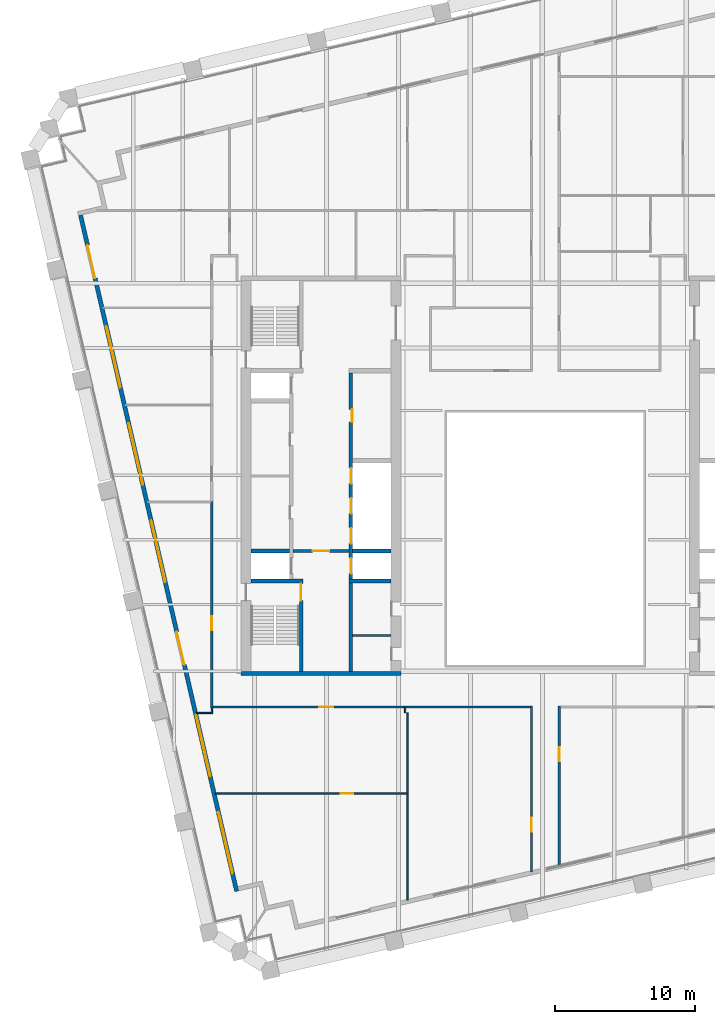
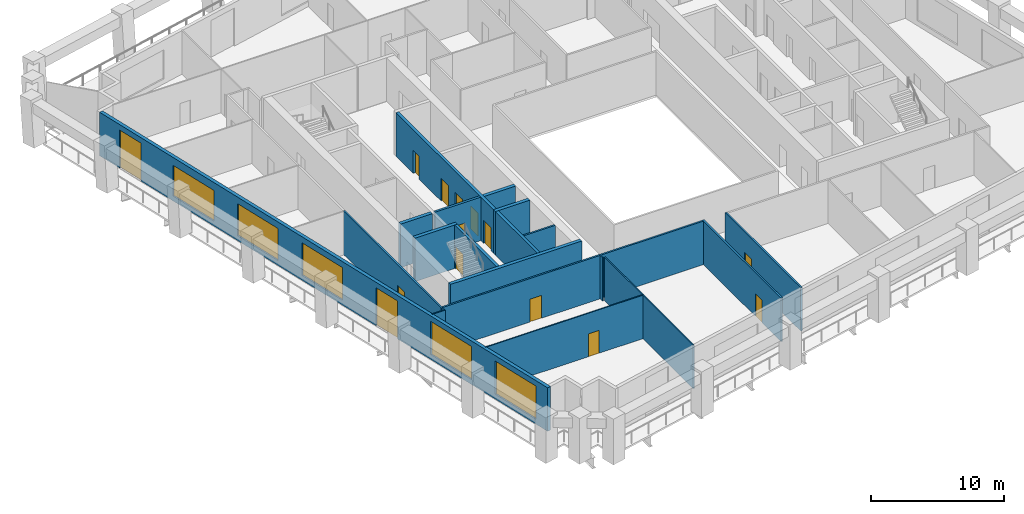
# One storey, part 4 of 10: 21 walls, 14 doors, 5 windows, 19 openings.
"""IFC4 building model written with IfcOpenShell, lengths in metres."""

from ifc_helpers import new_model, si_unit, direction, frame, frame_2d, origin, place, context, subcontext, project, spatial, rectangle, extrude, material, layer, layer_set, type_object, element, fill, save


model = new_model("IFC4")

# Units and contexts
model_context = context("Model", 3, precision=1e-05, world=origin(), true_north=direction((0.0, 1.0)))
body_context = subcontext(model_context, "Body", "Model", "MODEL_VIEW")
ifc_project = project(units=[si_unit("LENGTHUNIT", "METRE"), si_unit("AREAUNIT", "SQUARE_METRE"), si_unit("VOLUMEUNIT", "CUBIC_METRE"), si_unit("PLANEANGLEUNIT", "RADIAN"), si_unit("MASSUNIT", "GRAM", prefix="KILO")], contexts=[model_context])

# Site, building, storey
site_placement = place(None, origin())
site = spatial("IfcSite", under=ifc_project, at=site_placement, CompositionType="ELEMENT")
building_placement = place(site_placement, origin())
building = spatial("IfcBuilding", under=site, at=building_placement, Name="Ogive Exchange Tower", CompositionType="ELEMENT")
storey_placement = place(building_placement, frame((0.0, 0.0, 188.39990234375)))
storey = spatial("IfcBuildingStorey", under=building, at=storey_placement, Name="L41", CompositionType="ELEMENT", Elevation=188.39990234375)

# Wall
ifc_material_1 = material(Name="Gypsum board partition")
ifc_layer_1 = layer(ifc_material_1, 0.14990234375)
ifc_layer_set_1 = layer_set([ifc_layer_1], Name="Core room partition 150 gypsum")
wall_type_1 = type_object("IfcWallType", Name="Core room partition 150 gypsum", PredefinedType="PARTITIONING", material=ifc_layer_set_1)
wall_1_placement = place(storey_placement, frame((-13.75, 0.10009765625, 0.0), z_axis=(0.0, 0.0, 1.0), x_axis=(1.0, 0.0, 0.0)))
element("IfcWall", 1, at=wall_1_placement, inside=storey, type_object=wall_type_1, Name="W south room partition", PredefinedType="PARTITIONING", context=body_context, shape_type="SweptSolid", body=[
    extrude(rectangle(XDim=2.75, YDim=0.14990234375, at=frame_2d((1.375, 0.0))), origin(), (0.0, 0.0, 1.0), 4.0),
])

# Wall, opening, door
ifc_material_2 = material(Name="Fire partition EI 60 150")
ifc_layer_2 = layer(ifc_material_2, 0.14990234375)
ifc_layer_set_2 = layer_set([ifc_layer_2], Name="Fire partition EI 60 150")
wall_type_2 = type_object("IfcWallType", Name="Fire partition EI 60 150", PredefinedType="PARTITIONING", material=ifc_layer_set_2)
wall_2_placement = place(storey_placement, frame((-23.800048828125, -5.074951171875, 0.0), z_axis=(0.0, 0.0, 1.0), x_axis=(0.0, 1.0, 0.0)))
wall_2 = element("IfcWall", 2, at=wall_2_placement, inside=storey, type_object=wall_type_2, Name="L41-PWL-003", PredefinedType="PARTITIONING", context=body_context, shape_type="SweptSolid", body=[
    extrude(rectangle(XDim=14.744873046875, YDim=0.14990234375, at=frame_2d((7.37255859375, 0.0))), origin(), (0.0, 0.0, 1.0), 4.0),
])
opening_1_placement = place(wall_2_placement, frame((5.544921875, 0.0, 0.0)))
opening_1 = element("IfcOpeningElement", 3, at=opening_1_placement, cuts=wall_2, Name="Opening L41-I11", PredefinedType="OPENING", context=body_context, shape_type="SweptSolid", body=[
    extrude(rectangle(XDim=1.0, YDim=2.10009765625, at=frame_2d((0.5, 1.050048828125))), frame((0.0, 0.0849609375, 0.0), z_axis=(0.0, -1.0, 0.0), x_axis=(1.0, 0.0, 0.0)), (0.0, 0.0, 1.0), 0.169921875),
])
ifc_material_3 = material(Name="Fire door FD 30S 1000 x 2100")
door_type_1 = type_object("IfcDoorType", Name="Fire door FD 30S 1000 x 2100", OperationType="NOTDEFINED", PredefinedType="DOOR", material=ifc_material_3)
door_1_placement = place(opening_1_placement, origin())
door_1 = element("IfcDoor", 4, at=door_1_placement, inside=storey, type_object=door_type_1, Name="L41-IDR-011", ObjectType="DT3", OperationType="SINGLE_SWING_RIGHT", OverallHeight=2.10009765625, OverallWidth=1.0, PredefinedType="DOOR", context=body_context, shape_type="SweptSolid", body=[
    extrude(rectangle(XDim=1.0, YDim=2.10009765625, at=frame_2d((0.5, 1.050048828125))), frame((0.0, 0.02490234375, 0.0), z_axis=(0.0, -1.0, 0.0), x_axis=(1.0, 0.0, 0.0)), (0.0, 0.0, 1.0), 0.050048828125),
])
fill(opening_1, door_1)

wall_3_placement = place(storey_placement, frame((-10.050048828125, -5.0, 0.0), z_axis=(0.0, 0.0, 1.0), x_axis=(-1.0, 0.0, 0.0)))
wall_3 = element("IfcWall", 5, at=wall_3_placement, inside=storey, type_object=wall_type_2, Name="L41-PWL-020", PredefinedType="PARTITIONING", context=body_context, shape_type="SweptSolid", body=[
    extrude(rectangle(XDim=13.6650390625, YDim=0.14990234375, at=frame_2d((6.83251953125, 0.0))), origin(), (0.0, 0.0, 1.0), 4.0),
])
opening_2_placement = place(wall_3_placement, frame((5.090087890625, 0.0, 0.0)))
opening_2 = element("IfcOpeningElement", 6, at=opening_2_placement, cuts=wall_3, Name="Opening L41-I13", PredefinedType="OPENING", context=body_context, shape_type="SweptSolid", body=[
    extrude(rectangle(XDim=1.0, YDim=2.10009765625, at=frame_2d((0.5, 1.050048828125))), frame((0.0, 0.0849609375, 0.0), z_axis=(0.0, -1.0, 0.0), x_axis=(1.0, 0.0, 0.0)), (0.0, 0.0, 1.0), 0.169921875),
])
door_2_placement = place(opening_2_placement, origin())
door_2 = element("IfcDoor", 7, at=door_2_placement, inside=storey, type_object=door_type_1, Name="L41-IDR-013", ObjectType="DT3", OperationType="SINGLE_SWING_RIGHT", OverallHeight=2.10009765625, OverallWidth=1.0, PredefinedType="DOOR", context=body_context, shape_type="SweptSolid", body=[
    extrude(rectangle(XDim=1.0, YDim=2.10009765625, at=frame_2d((0.5, 1.050048828125))), frame((0.0, 0.02490234375, 0.0), z_axis=(0.0, -1.0, 0.0), x_axis=(1.0, 0.0, 0.0)), (0.0, 0.0, 1.0), 0.050048828125),
])
fill(opening_2, door_2)

wall_4_placement = place(storey_placement, frame((-0.989990234375, -16.7529296875, 0.0), z_axis=(0.0, 0.0, 1.0), x_axis=(0.0, 1.0, 0.0)))
wall_4 = element("IfcWall", 8, at=wall_4_placement, inside=storey, type_object=wall_type_2, Name="L41-PWL-036", PredefinedType="PARTITIONING", context=body_context, shape_type="SweptSolid", body=[
    extrude(rectangle(XDim=11.827880859375, YDim=0.14990234375, at=frame_2d((5.9140625, 0.0))), origin(), (0.0, 0.0, 1.0), 4.0),
])
opening_3_placement = place(wall_4_placement, frame((2.85302734375, 0.0, 0.0)))
opening_3 = element("IfcOpeningElement", 9, at=opening_3_placement, cuts=wall_4, Name="Opening L41-I12", PredefinedType="OPENING", context=body_context, shape_type="SweptSolid", body=[
    extrude(rectangle(XDim=1.0, YDim=2.10009765625, at=frame_2d((0.5, 1.050048828125))), frame((0.0, 0.0849609375, 0.0), z_axis=(0.0, -1.0, 0.0), x_axis=(1.0, 0.0, 0.0)), (0.0, 0.0, 1.0), 0.169921875),
])
door_3_placement = place(opening_3_placement, origin())
door_3 = element("IfcDoor", 10, at=door_3_placement, inside=storey, type_object=door_type_1, Name="L41-IDR-012", ObjectType="DT3", OperationType="SINGLE_SWING_RIGHT", OverallHeight=2.10009765625, OverallWidth=1.0, PredefinedType="DOOR", context=body_context, shape_type="SweptSolid", body=[
    extrude(rectangle(XDim=1.0, YDim=2.10009765625, at=frame_2d((0.5, 1.050048828125))), frame((0.0, 0.02490234375, 0.0), z_axis=(0.0, -1.0, 0.0), x_axis=(1.0, 0.0, 0.0)), (0.0, 0.0, 1.0), 0.050048828125),
])
fill(opening_3, door_3)

# Wall
wall_5_placement = place(storey_placement, frame((-1.06494140625, -5.0, 0.0), z_axis=(0.0, 0.0, 1.0), x_axis=(-1.0, 0.0, 0.0)))
element("IfcWall", 11, at=wall_5_placement, inside=storey, type_object=wall_type_2, Name="L41-PWL-037", PredefinedType="PARTITIONING", context=body_context, shape_type="SweptSolid", body=[
    extrude(rectangle(XDim=8.885009765625, YDim=0.14990234375, at=frame_2d((4.4423828125, 0.0))), origin(), (0.0, 0.0, 1.0), 4.0),
])

# Wall, opening, door
wall_6_placement = place(storey_placement, frame((0.989990234375, -4.925048828125, 0.0), z_axis=(0.0, 0.0, 1.0), x_axis=(0.0, -1.0, 0.0)))
wall_6 = element("IfcWall", 12, at=wall_6_placement, inside=storey, type_object=wall_type_2, Name="L41-PWL-041", PredefinedType="PARTITIONING", context=body_context, shape_type="SweptSolid", body=[
    extrude(rectangle(XDim=11.370849609375, YDim=0.14990234375, at=frame_2d((5.685546875, 0.0))), origin(), (0.0, 0.0, 1.0), 4.0),
])
opening_4_placement = place(wall_6_placement, frame((2.945068359375, 0.0, 0.0)))
opening_4 = element("IfcOpeningElement", 13, at=opening_4_placement, cuts=wall_6, Name="Opening L41-I15", PredefinedType="OPENING", context=body_context, shape_type="SweptSolid", body=[
    extrude(rectangle(XDim=1.0, YDim=2.10009765625, at=frame_2d((0.5, 1.050048828125))), frame((0.0, 0.0849609375, 0.0), z_axis=(0.0, -1.0, 0.0), x_axis=(1.0, 0.0, 0.0)), (0.0, 0.0, 1.0), 0.169921875),
])
door_4_placement = place(opening_4_placement, origin())
door_4 = element("IfcDoor", 14, at=door_4_placement, inside=storey, type_object=door_type_1, Name="L41-IDR-015", ObjectType="DT3", OperationType="SINGLE_SWING_RIGHT", OverallHeight=2.10009765625, OverallWidth=1.0, PredefinedType="DOOR", context=body_context, shape_type="SweptSolid", body=[
    extrude(rectangle(XDim=1.0, YDim=2.10009765625, at=frame_2d((0.5, 1.050048828125))), frame((0.0, 0.02490234375, 0.0), z_axis=(0.0, -1.0, 0.0), x_axis=(1.0, 0.0, 0.0)), (0.0, 0.0, 1.0), 0.050048828125),
])
fill(opening_4, door_4)

# Wall, openings, doors, windows
ifc_material_4 = material(Name="Precast concrete C40/50", Category="concrete")
ifc_layer_3 = layer(ifc_material_4, 0.300048828125)
ifc_layer_set_3 = layer_set([ifc_layer_3], Name="Limestone-faced wall 300")
wall_type_3 = type_object("IfcWallType", Name="Limestone-faced wall 300", PredefinedType="STANDARD", material=ifc_layer_set_3)
wall_7_placement = place(storey_placement, frame((-33.1572265625, 30.092041015625, 0.0), z_axis=(0.0, 0.0, 1.0), x_axis=(0.224950279389, -0.974370243697, 0.0)))
wall_7 = element("IfcWall", 15, at=wall_7_placement, inside=storey, type_object=wall_type_3, Name="External wall W4", PredefinedType="STANDARD", context=body_context, shape_type="SweptSolid", body=[
    extrude(rectangle(XDim=49.499755859375, YDim=0.300048828125, at=frame_2d((24.75, 0.0))), origin(), (0.0, 0.0, 1.0), 4.0),
])
opening_5_placement = place(wall_7_placement, frame((2.20703125, 0.0, 0.0)))
opening_5 = element("IfcOpeningElement", 16, at=opening_5_placement, cuts=wall_7, Name="Opening D1", PredefinedType="OPENING", context=body_context, shape_type="SweptSolid", body=[
    extrude(rectangle(XDim=2.39990234375, YDim=3.5, at=frame_2d((1.199951171875, 1.75))), frame((0.0, 0.159912109375, 0.0), z_axis=(0.0, -1.0, 0.0), x_axis=(1.0, 0.0, 0.0)), (0.0, 0.0, 1.0), 0.320068359375),
])
opening_6_placement = place(wall_7_placement, frame((8.121337890625, 0.0, 0.449951171875)))
opening_6 = element("IfcOpeningElement", 17, at=opening_6_placement, cuts=wall_7, Name="Opening W1E", PredefinedType="OPENING", context=body_context, shape_type="SweptSolid", body=[
    extrude(rectangle(XDim=4.5, YDim=2.824951171875, at=frame_2d((2.25, 1.41259765625))), frame((0.0, 0.159912109375, 0.0), z_axis=(0.0, -1.0, 0.0), x_axis=(1.0, 0.0, 0.0)), (0.0, 0.0, 1.0), 0.320068359375),
])
opening_7_placement = place(wall_7_placement, frame((15.235595703125, 0.0, 0.449951171875)))
opening_7 = element("IfcOpeningElement", 18, at=opening_7_placement, cuts=wall_7, Name="Opening W1B", PredefinedType="OPENING", context=body_context, shape_type="SweptSolid", body=[
    extrude(rectangle(XDim=4.5, YDim=2.949951171875, at=frame_2d((2.25, 1.47509765625))), frame((0.0, 0.159912109375, 0.0), z_axis=(0.0, -1.0, 0.0), x_axis=(1.0, 0.0, 0.0)), (0.0, 0.0, 1.0), 0.320068359375),
])
opening_8_placement = place(wall_7_placement, frame((22.35009765625, 0.0, 0.449951171875)))
opening_8 = element("IfcOpeningElement", 19, at=opening_8_placement, cuts=wall_7, Name="Opening W1A", PredefinedType="OPENING", context=body_context, shape_type="SweptSolid", body=[
    extrude(rectangle(XDim=4.5, YDim=3.0, at=frame_2d((2.25, 1.5))), frame((0.0, 0.159912109375, 0.0), z_axis=(0.0, -1.0, 0.0), x_axis=(1.0, 0.0, 0.0)), (0.0, 0.0, 1.0), 0.320068359375),
])
opening_9_placement = place(wall_7_placement, frame((30.51416015625, 0.0, 0.0)))
opening_9 = element("IfcOpeningElement", 20, at=opening_9_placement, cuts=wall_7, Name="Opening D1", PredefinedType="OPENING", context=body_context, shape_type="SweptSolid", body=[
    extrude(rectangle(XDim=2.39990234375, YDim=3.5, at=frame_2d((1.199951171875, 1.75))), frame((0.0, 0.159912109375, 0.0), z_axis=(0.0, -1.0, 0.0), x_axis=(1.0, 0.0, 0.0)), (0.0, 0.0, 1.0), 0.320068359375),
])
opening_10_placement = place(wall_7_placement, frame((36.57861328125, 0.0, 0.449951171875)))
opening_10 = element("IfcOpeningElement", 21, at=opening_10_placement, cuts=wall_7, Name="Opening W1", PredefinedType="OPENING", context=body_context, shape_type="SweptSolid", body=[
    extrude(rectangle(XDim=4.5, YDim=3.050048828125, at=frame_2d((2.25, 1.52490234375))), frame((0.0, 0.159912109375, 0.0), z_axis=(0.0, -1.0, 0.0), x_axis=(1.0, 0.0, 0.0)), (0.0, 0.0, 1.0), 0.320068359375),
])
opening_11_placement = place(wall_7_placement, frame((43.69287109375, 0.0, 0.449951171875)))
opening_11 = element("IfcOpeningElement", 22, at=opening_11_placement, cuts=wall_7, Name="Opening W1", PredefinedType="OPENING", context=body_context, shape_type="SweptSolid", body=[
    extrude(rectangle(XDim=4.5, YDim=3.050048828125, at=frame_2d((2.25, 1.52490234375))), frame((0.0, 0.159912109375, 0.0), z_axis=(0.0, -1.0, 0.0), x_axis=(1.0, 0.0, 0.0)), (0.0, 0.0, 1.0), 0.320068359375),
])
ifc_material_5 = material(Name="Clear glass in bronze frame", Category="glass")
door_type_2 = type_object("IfcDoorType", Name="Sliding loggia door 2400 x 3500", OperationType="DOUBLE_DOOR_SLIDING", PredefinedType="DOOR", material=ifc_material_5)
door_5_placement = place(opening_5_placement, origin())
door_5 = element("IfcDoor", 23, at=door_5_placement, inside=storey, type_object=door_type_2, Name="Loggia door W00", OperationType="DOUBLE_DOOR_SLIDING", OverallHeight=3.5, OverallWidth=2.39990234375, PredefinedType="DOOR", context=body_context, shape_type="SweptSolid", body=[
    extrude(rectangle(XDim=2.39990234375, YDim=3.5, at=frame_2d((1.199951171875, 1.75))), frame((0.0, 0.02490234375, 0.0), z_axis=(0.0, -1.0, 0.0), x_axis=(1.0, 0.0, 0.0)), (0.0, 0.0, 1.0), 0.050048828125),
])
fill(opening_5, door_5)
door_6_placement = place(opening_9_placement, origin())
door_6 = element("IfcDoor", 24, at=door_6_placement, inside=storey, type_object=door_type_2, Name="Loggia door W04", OperationType="DOUBLE_DOOR_SLIDING", OverallHeight=3.5, OverallWidth=2.39990234375, PredefinedType="DOOR", context=body_context, shape_type="SweptSolid", body=[
    extrude(rectangle(XDim=2.39990234375, YDim=3.5, at=frame_2d((1.199951171875, 1.75))), frame((0.0, 0.02490234375, 0.0), z_axis=(0.0, -1.0, 0.0), x_axis=(1.0, 0.0, 0.0)), (0.0, 0.0, 1.0), 0.050048828125),
])
fill(opening_9, door_6)
window_type_1 = type_object("IfcWindowType", Name="Twin lancet window 4500 x 2825", PartitioningType="DOUBLE_PANEL_VERTICAL", PredefinedType="WINDOW", material=ifc_material_5)
window_1_placement = place(opening_6_placement, origin())
window_1 = element("IfcWindow", 25, at=window_1_placement, inside=storey, type_object=window_type_1, Name="Window W01", OverallHeight=2.824951171875, OverallWidth=4.5, PartitioningType="DOUBLE_PANEL_VERTICAL", PredefinedType="WINDOW", context=body_context, shape_type="SweptSolid", body=[
    extrude(rectangle(XDim=4.5, YDim=2.824951171875, at=frame_2d((2.25, 1.41259765625))), frame((0.0, 0.030029296875, 0.0), z_axis=(0.0, -1.0, 0.0), x_axis=(1.0, 0.0, 0.0)), (0.0, 0.0, 1.0), 0.06005859375),
])
fill(opening_6, window_1)
window_type_2 = type_object("IfcWindowType", Name="Twin lancet window 4500 x 2950", PartitioningType="DOUBLE_PANEL_VERTICAL", PredefinedType="WINDOW", material=ifc_material_5)
window_2_placement = place(opening_7_placement, origin())
window_2 = element("IfcWindow", 26, at=window_2_placement, inside=storey, type_object=window_type_2, Name="Window W02", OverallHeight=2.949951171875, OverallWidth=4.5, PartitioningType="DOUBLE_PANEL_VERTICAL", PredefinedType="WINDOW", context=body_context, shape_type="SweptSolid", body=[
    extrude(rectangle(XDim=4.5, YDim=2.949951171875, at=frame_2d((2.25, 1.47509765625))), frame((0.0, 0.030029296875, 0.0), z_axis=(0.0, -1.0, 0.0), x_axis=(1.0, 0.0, 0.0)), (0.0, 0.0, 1.0), 0.06005859375),
])
fill(opening_7, window_2)
window_type_3 = type_object("IfcWindowType", Name="Twin lancet window 4500 x 3000", PartitioningType="DOUBLE_PANEL_VERTICAL", PredefinedType="WINDOW", material=ifc_material_5)
window_3_placement = place(opening_8_placement, origin())
window_3 = element("IfcWindow", 27, at=window_3_placement, inside=storey, type_object=window_type_3, Name="Window W03", OverallHeight=3.0, OverallWidth=4.5, PartitioningType="DOUBLE_PANEL_VERTICAL", PredefinedType="WINDOW", context=body_context, shape_type="SweptSolid", body=[
    extrude(rectangle(XDim=4.5, YDim=3.0, at=frame_2d((2.25, 1.5))), frame((0.0, 0.030029296875, 0.0), z_axis=(0.0, -1.0, 0.0), x_axis=(1.0, 0.0, 0.0)), (0.0, 0.0, 1.0), 0.06005859375),
])
fill(opening_8, window_3)
window_type_4 = type_object("IfcWindowType", Name="Twin lancet window 4500 x 3050", PartitioningType="DOUBLE_PANEL_VERTICAL", PredefinedType="WINDOW", material=ifc_material_5)
window_4_placement = place(opening_10_placement, origin())
window_4 = element("IfcWindow", 28, at=window_4_placement, inside=storey, type_object=window_type_4, Name="Window W05", OverallHeight=3.050048828125, OverallWidth=4.5, PartitioningType="DOUBLE_PANEL_VERTICAL", PredefinedType="WINDOW", context=body_context, shape_type="SweptSolid", body=[
    extrude(rectangle(XDim=4.5, YDim=3.050048828125, at=frame_2d((2.25, 1.52490234375))), frame((0.0, 0.030029296875, 0.0), z_axis=(0.0, -1.0, 0.0), x_axis=(1.0, 0.0, 0.0)), (0.0, 0.0, 1.0), 0.06005859375),
])
fill(opening_10, window_4)
window_5_placement = place(opening_11_placement, origin())
window_5 = element("IfcWindow", 29, at=window_5_placement, inside=storey, type_object=window_type_4, Name="Window W06", OverallHeight=3.050048828125, OverallWidth=4.5, PartitioningType="DOUBLE_PANEL_VERTICAL", PredefinedType="WINDOW", context=body_context, shape_type="SweptSolid", body=[
    extrude(rectangle(XDim=4.5, YDim=3.050048828125, at=frame_2d((2.25, 1.52490234375))), frame((0.0, 0.030029296875, 0.0), z_axis=(0.0, -1.0, 0.0), x_axis=(1.0, 0.0, 0.0)), (0.0, 0.0, 1.0), 0.06005859375),
])
fill(opening_11, window_5)

# Walls
ifc_material_6 = material(Name="Partition 100 gypsum")
ifc_layer_4 = layer(ifc_material_6, 0.10009765625)
ifc_layer_set_4 = layer_set([ifc_layer_4], Name="Partition 100 gypsum")
wall_type_4 = type_object("IfcWallType", Name="Partition 100 gypsum", PredefinedType="PARTITIONING", material=ifc_layer_set_4)
wall_8_placement = place(storey_placement, frame((-23.739990234375, -5.419921875, 0.0), z_axis=(0.0, 0.0, 1.0), x_axis=(-1.0, 0.0, 0.0)))
element("IfcWall", 30, at=wall_8_placement, inside=storey, type_object=wall_type_4, Name="L41-PWL-009", PredefinedType="PARTITIONING", context=body_context, shape_type="SweptSolid", body=[
    extrude(rectangle(XDim=1.14697265625, YDim=0.10009765625, at=frame_2d((0.573486328125, 0.0))), origin(), (0.0, 0.0, 1.0), 4.0),
])
wall_9_placement = place(storey_placement, frame((-23.7900390625, -5.074951171875, 0.0), z_axis=(0.0, 0.0, 1.0), x_axis=(0.0, -1.0, 0.0)))
element("IfcWall", 31, at=wall_9_placement, inside=storey, type_object=wall_type_4, Name="L41-PWL-010", PredefinedType="PARTITIONING", context=body_context, shape_type="SweptSolid", body=[
    extrude(rectangle(XDim=0.295166015625, YDim=0.10009765625, at=frame_2d((0.1474609375, 0.0))), origin(), (0.0, 0.0, 1.0), 4.0),
])
wall_10_placement = place(storey_placement, frame((-10.0, -5.419921875, 0.0), z_axis=(0.0, 0.0, 1.0), x_axis=(0.0, 1.0, 0.0)))
element("IfcWall", 32, at=wall_10_placement, inside=storey, type_object=wall_type_4, Name="L41-PWL-019", PredefinedType="PARTITIONING", context=body_context, shape_type="SweptSolid", body=[
    extrude(rectangle(XDim=0.494873046875, YDim=0.10009765625, at=frame_2d((0.24755859375, 0.0))), origin(), (0.0, 0.0, 1.0), 4.0),
])
wall_11_placement = place(storey_placement, frame((-9.830078125, -18.7939453125, 0.0), z_axis=(0.0, 0.0, 1.0), x_axis=(0.0, 1.0, 0.0)))
element("IfcWall", 33, at=wall_11_placement, inside=storey, type_object=wall_type_4, Name="L41-PWL-023", PredefinedType="PARTITIONING", context=body_context, shape_type="SweptSolid", body=[
    extrude(rectangle(XDim=7.673828125, YDim=0.10009765625, at=frame_2d((3.8369140625, 0.0))), origin(), (0.0, 0.0, 1.0), 4.0),
])

# Wall, opening, door
wall_12_placement = place(storey_placement, frame((-9.8798828125, -11.169921875, 0.0), z_axis=(0.0, 0.0, 1.0), x_axis=(-1.0, 0.0, 0.0)))
wall_12 = element("IfcWall", 34, at=wall_12_placement, inside=storey, type_object=wall_type_4, Name="L41-PWL-024", PredefinedType="PARTITIONING", context=body_context, shape_type="SweptSolid", body=[
    extrude(rectangle(XDim=13.68017578125, YDim=0.10009765625, at=frame_2d((6.840087890625, 0.0))), origin(), (0.0, 0.0, 1.0), 4.0),
])
opening_12_placement = place(wall_12_placement, frame((3.81005859375, 0.0, 0.0)))
opening_12 = element("IfcOpeningElement", 35, at=opening_12_placement, cuts=wall_12, Name="Opening L41-I14", PredefinedType="OPENING", context=body_context, shape_type="SweptSolid", body=[
    extrude(rectangle(XDim=0.89990234375, YDim=2.10009765625, at=frame_2d((0.449951171875, 1.050048828125))), frame((0.0, 0.06005859375, 0.0), z_axis=(0.0, -1.0, 0.0), x_axis=(1.0, 0.0, 0.0)), (0.0, 0.0, 1.0), 0.1201171875),
])
ifc_material_7 = material(Name="Door 900 x 2100")
door_type_3 = type_object("IfcDoorType", Name="Door 900 x 2100", OperationType="NOTDEFINED", PredefinedType="DOOR", material=ifc_material_7)
door_7_placement = place(opening_12_placement, frame((0.89990234375, 0.0, 0.0), z_axis=(0.0, 0.0, 1.0), x_axis=(-1.0, 0.0, 0.0)))
door_7 = element("IfcDoor", 36, at=door_7_placement, inside=storey, type_object=door_type_3, Name="L41-IDR-014", ObjectType="DT1", OperationType="SINGLE_SWING_RIGHT", OverallHeight=2.10009765625, OverallWidth=0.89990234375, PredefinedType="DOOR", context=body_context, shape_type="SweptSolid", body=[
    extrude(rectangle(XDim=0.89990234375, YDim=2.10009765625, at=frame_2d((0.449951171875, 1.050048828125))), frame((0.0, 0.02490234375, 0.0), z_axis=(0.0, -1.0, 0.0), x_axis=(1.0, 0.0, 0.0)), (0.0, 0.0, 1.0), 0.050048828125),
])
fill(opening_12, door_7)

# Wall
wall_13_placement = place(storey_placement, frame((-9.830078125, -11.1201171875, 0.0), z_axis=(0.0, 0.0, 1.0), x_axis=(0.0, 1.0, 0.0)))
element("IfcWall", 37, at=wall_13_placement, inside=storey, type_object=wall_type_4, Name="L41-PWL-025", PredefinedType="PARTITIONING", context=body_context, shape_type="SweptSolid", body=[
    extrude(rectangle(XDim=5.7001953125, YDim=0.10009765625, at=frame_2d((2.85009765625, 0.0))), origin(), (0.0, 0.0, 1.0), 4.0),
])

# Wall, opening, door
ifc_material_8 = material(Name="Concrete C70/85", Category="concrete")
ifc_layer_5 = layer(ifc_material_8, 0.199951171875)
ifc_layer_set_5 = layer_set([ifc_layer_5], Name="RC core wall 200 C70/85")
wall_type_5 = type_object("IfcWallType", Name="RC core wall 200 C70/85", PredefinedType="SHEAR", material=ifc_layer_set_5)
wall_14_placement = place(storey_placement, frame((-18.0, 6.142822265625, 0.0), z_axis=(0.0, 0.0, 1.0), x_axis=(1.0, 0.0, 0.0)))
wall_14 = element("IfcWall", 38, at=wall_14_placement, inside=storey, type_object=wall_type_5, Name="W firefighting lobby wall", PredefinedType="SHEAR", context=body_context, shape_type="SweptSolid", body=[
    extrude(rectangle(XDim=4.0, YDim=0.199951171875, at=frame_2d((2.0, 0.0))), origin(), (0.0, 0.0, 1.0), 4.0),
])
opening_13_placement = place(wall_14_placement, frame((1.39990234375, 0.0, 0.0)))
opening_13 = element("IfcOpeningElement", 39, at=opening_13_placement, cuts=wall_14, Name="Opening L41-C10", PredefinedType="OPENING", context=body_context, shape_type="SweptSolid", body=[
    extrude(rectangle(XDim=1.199951171875, YDim=2.10009765625, at=frame_2d((0.60009765625, 1.050048828125))), frame((0.0, 0.10986328125, 0.0), z_axis=(0.0, -1.0, 0.0), x_axis=(1.0, 0.0, 0.0)), (0.0, 0.0, 1.0), 0.219970703125),
])
ifc_material_9 = material(Name="Steel fire door", Category="steel")
door_type_4 = type_object("IfcDoorType", Name="Firefighting lobby door FD60 1200 x 2100", OperationType="NOTDEFINED", PredefinedType="DOOR", material=ifc_material_9)
door_8_placement = place(opening_13_placement, frame((1.199951171875, 0.0, 0.0), z_axis=(0.0, 0.0, 1.0), x_axis=(-1.0, 0.0, 0.0)))
door_8 = element("IfcDoor", 40, at=door_8_placement, inside=storey, type_object=door_type_4, Name="Firefighting lobby door", ObjectType="CD3", OperationType="SINGLE_SWING_LEFT", OverallHeight=2.10009765625, OverallWidth=1.199951171875, PredefinedType="DOOR", context=body_context, shape_type="SweptSolid", body=[
    extrude(rectangle(XDim=1.199951171875, YDim=2.10009765625, at=frame_2d((0.60009765625, 1.050048828125))), frame((0.0, 0.02490234375, 0.0), z_axis=(0.0, -1.0, 0.0), x_axis=(1.0, 0.0, 0.0)), (0.0, 0.0, 1.0), 0.050048828125),
])
fill(opening_13, door_8)

ifc_layer_6 = layer(ifc_material_8, 0.25)
ifc_layer_set_6 = layer_set([ifc_layer_6], Name="RC core wall 250 C70/85")
wall_type_6 = type_object("IfcWallType", Name="RC core wall 250 C70/85", PredefinedType="SHEAR", material=ifc_layer_set_6)
wall_15_placement = place(storey_placement, frame((-17.425048828125, -2.449951171875, 0.0), z_axis=(0.0, 0.0, 1.0), x_axis=(0.0, 1.0, 0.0)))
wall_15 = element("IfcWall", 41, at=wall_15_placement, inside=storey, type_object=wall_type_6, Name="W stair S front wall", PredefinedType="SHEAR", context=body_context, shape_type="SweptSolid", body=[
    extrude(rectangle(XDim=6.300048828125, YDim=0.25, at=frame_2d((3.14990234375, 0.0))), origin(), (0.0, 0.0, 1.0), 4.0),
])
opening_14_placement = place(wall_15_placement, frame((5.050048828125, 0.0, 0.0)))
opening_14 = element("IfcOpeningElement", 42, at=opening_14_placement, cuts=wall_15, Name="Opening L41-C12", PredefinedType="OPENING", context=body_context, shape_type="SweptSolid", body=[
    extrude(rectangle(XDim=1.199951171875, YDim=2.10009765625, at=frame_2d((0.60009765625, 1.050048828125))), frame((0.0, 0.135009765625, 0.0), z_axis=(0.0, -1.0, 0.0), x_axis=(1.0, 0.0, 0.0)), (0.0, 0.0, 1.0), 0.27001953125),
])
door_type_5 = type_object("IfcDoorType", Name="Stair door FD90 1200 x 2100", OperationType="NOTDEFINED", PredefinedType="DOOR", material=ifc_material_9)
door_9_placement = place(opening_14_placement, origin())
door_9 = element("IfcDoor", 43, at=door_9_placement, inside=storey, type_object=door_type_5, Name="Stair door", ObjectType="CD5", OperationType="SINGLE_SWING_LEFT", OverallHeight=2.10009765625, OverallWidth=1.199951171875, PredefinedType="DOOR", context=body_context, shape_type="SweptSolid", body=[
    extrude(rectangle(XDim=1.199951171875, YDim=2.10009765625, at=frame_2d((0.60009765625, 1.050048828125))), frame((0.0, 0.02490234375, 0.0), z_axis=(0.0, -1.0, 0.0), x_axis=(1.0, 0.0, 0.0)), (0.0, 0.0, 1.0), 0.050048828125),
])
fill(opening_14, door_9)

# Wall, openings, doors
wall_16_placement = place(storey_placement, frame((-13.875, -2.449951171875, 0.0), z_axis=(0.0, 0.0, 1.0), x_axis=(0.0, 1.0, 0.0)))
wall_16 = element("IfcWall", 44, at=wall_16_placement, inside=storey, type_object=wall_type_6, Name="W row B front wall", PredefinedType="SHEAR", context=body_context, shape_type="SweptSolid", body=[
    extrude(rectangle(XDim=21.300048828125, YDim=0.25, at=frame_2d((10.64990234375, 0.0))), origin(), (0.0, 0.0, 1.0), 4.0),
])
opening_15_placement = place(wall_16_placement, frame((17.78564453125, 0.0, 0.0)))
opening_15 = element("IfcOpeningElement", 45, at=opening_15_placement, cuts=wall_16, Name="Opening L41-C05", PredefinedType="OPENING", context=body_context, shape_type="SweptSolid", body=[
    extrude(rectangle(XDim=0.89990234375, YDim=2.10009765625, at=frame_2d((0.449951171875, 1.050048828125))), frame((0.0, 0.135009765625, 0.0), z_axis=(0.0, -1.0, 0.0), x_axis=(1.0, 0.0, 0.0)), (0.0, 0.0, 1.0), 0.27001953125),
])
opening_16_placement = place(wall_16_placement, frame((6.971435546875, 0.0, 0.0)))
opening_16 = element("IfcOpeningElement", 46, at=opening_16_placement, cuts=wall_16, Name="Opening L41-C06", PredefinedType="OPENING", context=body_context, shape_type="SweptSolid", body=[
    extrude(rectangle(XDim=1.10009765625, YDim=2.10009765625, at=frame_2d((0.550048828125, 1.050048828125))), frame((0.0, 0.135009765625, 0.0), z_axis=(0.0, -1.0, 0.0), x_axis=(1.0, 0.0, 0.0)), (0.0, 0.0, 1.0), 0.27001953125),
])
opening_17_placement = place(wall_16_placement, frame((9.1142578125, 0.0, 0.0)))
opening_17 = element("IfcOpeningElement", 47, at=opening_17_placement, cuts=wall_16, Name="Opening L41-C07", PredefinedType="OPENING", context=body_context, shape_type="SweptSolid", body=[
    extrude(rectangle(XDim=1.10009765625, YDim=2.10009765625, at=frame_2d((0.550048828125, 1.050048828125))), frame((0.0, 0.135009765625, 0.0), z_axis=(0.0, -1.0, 0.0), x_axis=(1.0, 0.0, 0.0)), (0.0, 0.0, 1.0), 0.27001953125),
])
opening_18_placement = place(wall_16_placement, frame((11.257080078125, 0.0, 0.0)))
opening_18 = element("IfcOpeningElement", 48, at=opening_18_placement, cuts=wall_16, Name="Opening L41-C08", PredefinedType="OPENING", context=body_context, shape_type="SweptSolid", body=[
    extrude(rectangle(XDim=1.10009765625, YDim=2.10009765625, at=frame_2d((0.550048828125, 1.050048828125))), frame((0.0, 0.135009765625, 0.0), z_axis=(0.0, -1.0, 0.0), x_axis=(1.0, 0.0, 0.0)), (0.0, 0.0, 1.0), 0.27001953125),
])
opening_19_placement = place(wall_16_placement, frame((13.39990234375, 0.0, 0.0)))
opening_19 = element("IfcOpeningElement", 49, at=opening_19_placement, cuts=wall_16, Name="Opening L41-C09", PredefinedType="OPENING", context=body_context, shape_type="SweptSolid", body=[
    extrude(rectangle(XDim=1.10009765625, YDim=2.10009765625, at=frame_2d((0.550048828125, 1.050048828125))), frame((0.0, 0.135009765625, 0.0), z_axis=(0.0, -1.0, 0.0), x_axis=(1.0, 0.0, 0.0)), (0.0, 0.0, 1.0), 0.27001953125),
])
ifc_material_10 = material(Name="Stainless steel", Category="steel")
door_type_6 = type_object("IfcDoorType", Name="Lift landing door FD90 1100 x 2100", OperationType="SLIDING_TO_LEFT", PredefinedType="DOOR", material=ifc_material_10)
door_10_placement = place(opening_16_placement, origin())
door_10 = element("IfcDoor", 50, at=door_10_placement, inside=storey, type_object=door_type_6, Name="Lift landing door SV1", ObjectType="LD", OperationType="SLIDING_TO_LEFT", OverallHeight=2.10009765625, OverallWidth=1.10009765625, PredefinedType="DOOR", context=body_context, shape_type="SweptSolid", body=[
    extrude(rectangle(XDim=1.10009765625, YDim=2.10009765625, at=frame_2d((0.550048828125, 1.050048828125))), frame((0.0, 0.02490234375, 0.0), z_axis=(0.0, -1.0, 0.0), x_axis=(1.0, 0.0, 0.0)), (0.0, 0.0, 1.0), 0.050048828125),
])
fill(opening_16, door_10)
door_11_placement = place(opening_17_placement, origin())
door_11 = element("IfcDoor", 51, at=door_11_placement, inside=storey, type_object=door_type_6, Name="Lift landing door W-M1", ObjectType="LD", OperationType="SLIDING_TO_LEFT", OverallHeight=2.10009765625, OverallWidth=1.10009765625, PredefinedType="DOOR", context=body_context, shape_type="SweptSolid", body=[
    extrude(rectangle(XDim=1.10009765625, YDim=2.10009765625, at=frame_2d((0.550048828125, 1.050048828125))), frame((0.0, 0.02490234375, 0.0), z_axis=(0.0, -1.0, 0.0), x_axis=(1.0, 0.0, 0.0)), (0.0, 0.0, 1.0), 0.050048828125),
])
fill(opening_17, door_11)
door_12_placement = place(opening_18_placement, origin())
door_12 = element("IfcDoor", 52, at=door_12_placement, inside=storey, type_object=door_type_6, Name="Lift landing door W-M2", ObjectType="LD", OperationType="SLIDING_TO_LEFT", OverallHeight=2.10009765625, OverallWidth=1.10009765625, PredefinedType="DOOR", context=body_context, shape_type="SweptSolid", body=[
    extrude(rectangle(XDim=1.10009765625, YDim=2.10009765625, at=frame_2d((0.550048828125, 1.050048828125))), frame((0.0, 0.02490234375, 0.0), z_axis=(0.0, -1.0, 0.0), x_axis=(1.0, 0.0, 0.0)), (0.0, 0.0, 1.0), 0.050048828125),
])
fill(opening_18, door_12)
door_13_placement = place(opening_19_placement, origin())
door_13 = element("IfcDoor", 53, at=door_13_placement, inside=storey, type_object=door_type_6, Name="Lift landing door W-M3", ObjectType="LD", OperationType="SLIDING_TO_LEFT", OverallHeight=2.10009765625, OverallWidth=1.10009765625, PredefinedType="DOOR", context=body_context, shape_type="SweptSolid", body=[
    extrude(rectangle(XDim=1.10009765625, YDim=2.10009765625, at=frame_2d((0.550048828125, 1.050048828125))), frame((0.0, 0.02490234375, 0.0), z_axis=(0.0, -1.0, 0.0), x_axis=(1.0, 0.0, 0.0)), (0.0, 0.0, 1.0), 0.050048828125),
])
fill(opening_19, door_13)
door_type_7 = type_object("IfcDoorType", Name="Riser door FD60 900 x 2100", OperationType="NOTDEFINED", PredefinedType="DOOR", material=ifc_material_9)
door_14_placement = place(opening_15_placement, frame((0.89990234375, -0.2001953125, 0.0), z_axis=(0.0, 0.0, 1.0), x_axis=(-1.0, 0.0, 0.0)))
door_14 = element("IfcDoor", 54, at=door_14_placement, inside=storey, type_object=door_type_7, Name="Riser door", ObjectType="CD2", OperationType="SINGLE_SWING_LEFT", OverallHeight=2.10009765625, OverallWidth=0.89990234375, PredefinedType="DOOR", context=body_context, shape_type="SweptSolid", body=[
    extrude(rectangle(XDim=0.89990234375, YDim=2.10009765625, at=frame_2d((0.449951171875, 1.050048828125))), frame((0.0, -0.0751953125, 0.0), z_axis=(0.0, -1.0, 0.0), x_axis=(1.0, 0.0, 0.0)), (0.0, 0.0, 1.0), 0.050048828125),
])
fill(opening_15, door_14)

# Walls
ifc_layer_7 = layer(ifc_material_8, 0.300048828125)
ifc_layer_set_7 = layer_set([ifc_layer_7], Name="RC core wall 300 C70/85")
wall_type_7 = type_object("IfcWallType", Name="RC core wall 300 C70/85", PredefinedType="SHEAR", material=ifc_layer_set_7)
wall_17_placement = place(storey_placement, frame((-21.699951171875, -2.60009765625, 0.0), z_axis=(0.0, 0.0, 1.0), x_axis=(1.0, 0.0, 0.0)))
element("IfcWall", 55, at=wall_17_placement, inside=storey, type_object=wall_type_7, Name="W south end wall", PredefinedType="SHEAR", context=body_context, shape_type="SweptSolid", body=[
    extrude(rectangle(XDim=11.39990234375, YDim=0.300048828125, at=frame_2d((5.699951171875, 0.0))), origin(), (0.0, 0.0, 1.0), 4.0),
])
wall_18_placement = place(storey_placement, frame((-21.0, 4.0, 0.0), z_axis=(0.0, 0.0, 1.0), x_axis=(1.0, 0.0, 0.0)))
element("IfcWall", 56, at=wall_18_placement, inside=storey, type_object=wall_type_7, Name="W stair S north wall", PredefinedType="SHEAR", context=body_context, shape_type="SweptSolid", body=[
    extrude(rectangle(XDim=3.699951171875, YDim=0.300048828125, at=frame_2d((1.85009765625, 0.0))), origin(), (0.0, 0.0, 1.0), 4.0),
])
wall_19_placement = place(storey_placement, frame((-21.0, 6.142822265625, 0.0), z_axis=(0.0, 0.0, 1.0), x_axis=(1.0, 0.0, 0.0)))
element("IfcWall", 57, at=wall_19_placement, inside=storey, type_object=wall_type_7, Name="W row A divider 1", PredefinedType="SHEAR", context=body_context, shape_type="SweptSolid", body=[
    extrude(rectangle(XDim=2.75, YDim=0.300048828125, at=frame_2d((1.375, 0.0))), origin(), (0.0, 0.0, 1.0), 4.0),
])
wall_20_placement = place(storey_placement, frame((-14.0, 4.0, 0.0), z_axis=(0.0, 0.0, 1.0), x_axis=(1.0, 0.0, 0.0)))
element("IfcWall", 58, at=wall_20_placement, inside=storey, type_object=wall_type_7, Name="W row B divider 0", PredefinedType="SHEAR", context=body_context, shape_type="SweptSolid", body=[
    extrude(rectangle(XDim=3.0, YDim=0.300048828125, at=frame_2d((1.5, 0.0))), origin(), (0.0, 0.0, 1.0), 4.0),
])
wall_21_placement = place(storey_placement, frame((-13.75, 6.142822265625, 0.0), z_axis=(0.0, 0.0, 1.0), x_axis=(1.0, 0.0, 0.0)))
element("IfcWall", 59, at=wall_21_placement, inside=storey, type_object=wall_type_7, Name="W row B divider 1", PredefinedType="SHEAR", context=body_context, shape_type="SweptSolid", body=[
    extrude(rectangle(XDim=2.75, YDim=0.300048828125, at=frame_2d((1.375, 0.0))), origin(), (0.0, 0.0, 1.0), 4.0),
])

save(model, "model.ifc")
